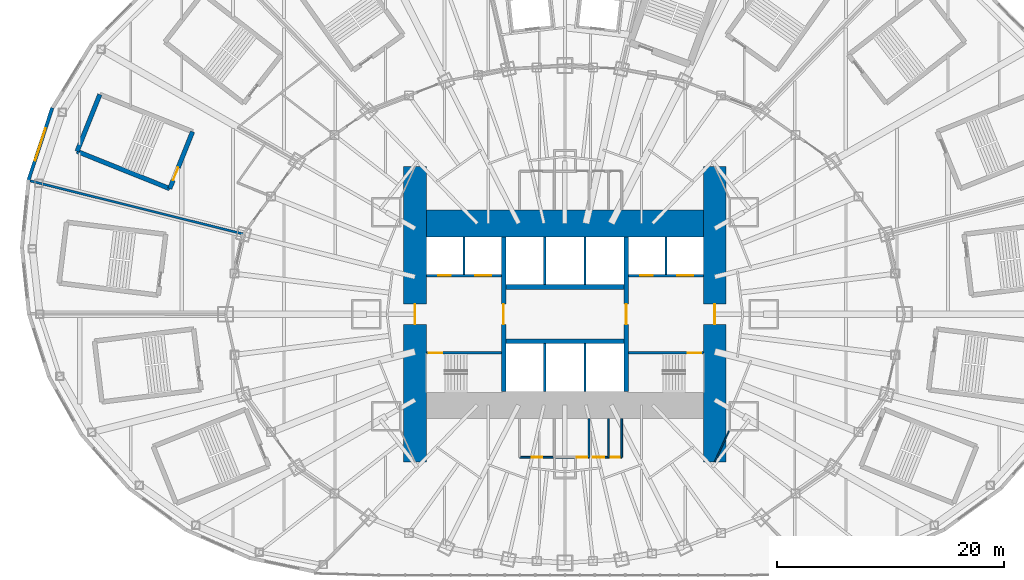
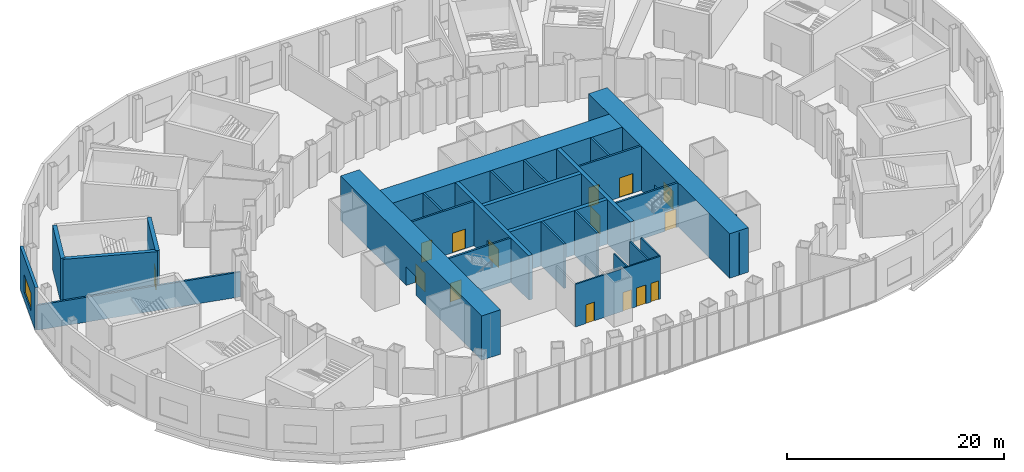
# One storey, part 14 of 73: 27 walls, 15 doors, 1 window, 16 openings.
"""IFC4 building model written with IfcOpenShell, lengths in metres."""

import ifcopenshell
import ifcopenshell.guid

model = None  # the IFC model being written
_history = None  # IfcOwnerHistory: only IFC2X3 demands one
_inside = {}  # id of a spatial element -> (the spatial element, [elements in it])
_under = {}  # id of a project, library or spatial element -> (it, [spatial elements below it])
_declared = {}  # id of a project -> (the project, [libraries it declares])
_typed = {}  # id of a type object -> (the type object, [elements of that type])
_made_of = {}  # id of a material, layer set ... -> (it, [elements and type objects made of it])


def new_model(schema):
    """Start an empty IFC model of exactly this schema.

    Asked for "IFC4X3", IfcOpenShell would pick the latest addendum, in which some entities
    have other attributes; the version numbers below select the first issue.
    IFC2X3 requires an IfcOwnerHistory on every rooted entity: one is made here for all.
    """
    global model, _history
    if schema == "IFC4X3":
        model = ifcopenshell.file(schema_version=(4, 3, 0, 0))
    else:
        model = ifcopenshell.file(schema=schema)
    _inside.clear()
    _under.clear()
    _declared.clear()
    _typed.clear()
    _made_of.clear()
    _history = None
    if model.schema == "IFC2X3":
        org = make("IfcOrganization", Name="unknown")
        user = make(
            "IfcPersonAndOrganization",
            ThePerson=make("IfcPerson", FamilyName="unknown"),
            TheOrganization=org,
        )
        app = make(
            "IfcApplication",
            ApplicationDeveloper=org,
            Version="unknown",
            ApplicationFullName="unknown",
            ApplicationIdentifier="unknown",
        )
        _history = make(
            "IfcOwnerHistory",
            OwningUser=user,
            OwningApplication=app,
            ChangeAction="ADDED",
            CreationDate=0,
        )
    return model


def make(cls, **values):
    """One entity of the class cls with the attributes given. An attribute that is None is left unset."""
    return model.create_entity(
        cls, **{name: value for name, value in values.items() if value is not None}
    )


def rooted(cls, **values):
    """An entity with a GlobalId (a new one), such as an element, a storey or a relation."""
    return make(cls, GlobalId=ifcopenshell.guid.new(), OwnerHistory=_history, **values)


def si_unit(unit_type, name, prefix=None):
    """IfcSIUnit, for example si_unit("LENGTHUNIT", "METRE", prefix="MILLI")."""
    return make("IfcSIUnit", UnitType=unit_type, Prefix=prefix, Name=name)


def assignment(units):
    """IfcUnitAssignment: the units of a project."""
    return None if units is None else make("IfcUnitAssignment", Units=units)


def point(xyz):
    """IfcCartesianPoint."""
    return None if xyz is None else make("IfcCartesianPoint", Coordinates=xyz)


def direction(xyz):
    """IfcDirection."""
    return None if xyz is None else make("IfcDirection", DirectionRatios=xyz)


def frame(location, z_axis=None, x_axis=None):
    """IfcAxis2Placement3D, a coordinate frame: its origin and axes. An axis left out is left unset."""
    return make(
        "IfcAxis2Placement3D",
        Location=point(location),
        Axis=direction(z_axis),
        RefDirection=direction(x_axis),
    )


def frame_2d(location, x_axis=None):
    """IfcAxis2Placement2D, a coordinate frame in the plane: its origin and x axis."""
    return make(
        "IfcAxis2Placement2D", Location=point(location), RefDirection=direction(x_axis)
    )


def origin():
    """The frame at (0, 0, 0) with its axes left unset."""
    return frame((0.0, 0.0, 0.0))


def place(relative_to, where):
    """IfcLocalPlacement: puts the frame where relative to a parent placement (None: the world)."""
    return make(
        "IfcLocalPlacement", PlacementRelTo=relative_to, RelativePlacement=where
    )


def context(
    kind, dimensions, precision=None, world=None, true_north=None, identifier=None
):
    """IfcGeometricRepresentationContext, for example the 3D "Model" context."""
    return make(
        "IfcGeometricRepresentationContext",
        ContextIdentifier=identifier,
        ContextType=kind,
        CoordinateSpaceDimension=dimensions,
        Precision=precision,
        WorldCoordinateSystem=world,
        TrueNorth=true_north,
    )


def subcontext(parent, identifier, kind, view, scale=None):
    """IfcGeometricRepresentationSubContext, for example "Body" below "Model"."""
    return make(
        "IfcGeometricRepresentationSubContext",
        ContextIdentifier=identifier,
        ContextType=kind,
        ParentContext=parent,
        TargetScale=scale,
        TargetView=view,
    )


def project(units=None, contexts=None):
    """IfcProject with its units and contexts."""
    return rooted(
        "IfcProject",
        Name="project",
        RepresentationContexts=contexts,
        UnitsInContext=assignment(units),
    )


def spatial(cls, under=None, at=None, **own):
    """A site, building, storey or space (cls), placed at a placement, below another one or the project."""
    s = rooted(cls, ObjectPlacement=at, **own)
    if under is not None:
        _under.setdefault(under.id(), (under, []))[1].append(s)
    return s


def profile(cls, at=None, kind="AREA", **sizes):
    """A parametric profile (cls). Its sizes go by their IFC names, for example OverallWidth=200.0."""
    return make(cls, ProfileType=kind, Position=at, **sizes)


def rectangle(**sizes):
    """IfcRectangleProfileDef."""
    return profile("IfcRectangleProfileDef", **sizes)


def extrude(swept, where, along, depth):
    """IfcExtrudedAreaSolid: the profile swept, set in the frame where, extruded along a direction by depth."""
    return make(
        "IfcExtrudedAreaSolid",
        SweptArea=swept,
        Position=where,
        ExtrudedDirection=direction(along),
        Depth=depth,
    )


def shape(context_of_items, identifier, shape_type, items):
    """IfcShapeRepresentation: the items that make up one representation, for example the "Body"."""
    return make(
        "IfcShapeRepresentation",
        ContextOfItems=context_of_items,
        RepresentationIdentifier=identifier,
        RepresentationType=shape_type,
        Items=items,
    )


def material(Name=None, Category=None):
    """IfcMaterial."""
    return make("IfcMaterial", Name=Name, Category=Category)


def layer(
    of_material, thickness, ventilated=None, Name=None, Category=None, Priority=None
):
    """IfcMaterialLayer: one layer of a wall or slab, of a material (None: an air gap)."""
    return make(
        "IfcMaterialLayer",
        Material=of_material,
        LayerThickness=thickness,
        IsVentilated=ventilated,
        Name=Name,
        Category=Category,
        Priority=Priority,
    )


def layer_set(layers, Name=None):
    """IfcMaterialLayerSet."""
    return make("IfcMaterialLayerSet", MaterialLayers=layers, LayerSetName=Name)


def made_of(thing, what):
    """Note that an element or type object is made of a material, layer set ...; save() writes the relation."""
    if what is not None:
        _made_of.setdefault(what.id(), (what, []))[1].append(thing)
    return thing


def type_object(cls, material=None, **own):
    """A type object (cls), such as IfcWallType, which elements share."""
    return made_of(rooted(cls, **own), material)


def element(
    cls,
    number,
    at=None,
    inside=None,
    cuts=None,
    type_object=None,
    material=None,
    context=None,
    identifier="Body",
    shape_type=None,
    held_by="IfcProductDefinitionShape",
    body=None,
    shapes=None,
    **own,
):
    """One element of the class cls, such as IfcWall. Its Tag is "e" and its number.

    at: its placement. inside: the storey or other place that contains it. cuts: it is an
    opening in that element (IfcRelVoidsElement). A single representation is given by context,
    identifier, shape_type and body (its items); several are given by shapes. held_by: the class
    of the entity that holds the representations. save() writes the other relations.
    """
    e = rooted(cls, Tag="e%d" % number, ObjectPlacement=at, **own)
    if body is not None:
        shapes = [shape(context, identifier, shape_type, body)]
    if shapes is not None:
        e.Representation = make(held_by, Representations=shapes)
    if inside is not None:
        _inside.setdefault(inside.id(), (inside, []))[1].append(e)
    if cuts is not None:
        rooted(
            "IfcRelVoidsElement", RelatingBuildingElement=cuts, RelatedOpeningElement=e
        )
    if type_object is not None:
        _typed.setdefault(type_object.id(), (type_object, []))[1].append(e)
    return made_of(e, material)


def fill(opening, filler):
    """IfcRelFillsElement: the door or window that sits in an opening."""
    return rooted(
        "IfcRelFillsElement",
        RelatingOpeningElement=opening,
        RelatedBuildingElement=filler,
    )


def aggregate(whole, parts):
    """IfcRelAggregates: a whole, such as a stair, and the parts it consists of."""
    return rooted("IfcRelAggregates", RelatingObject=whole, RelatedObjects=parts)


def save(model, path):
    """Write the relations noted so far, then the file.

    IfcRelAggregates (storeys below a building ...), IfcRelContainedInSpatialStructure (elements
    in a storey), IfcRelDefinesByType, IfcRelAssociatesMaterial and IfcRelDeclares: one each for
    every whole, place, type object, material and project.
    """
    for whole, parts in _under.values():
        aggregate(whole, parts)
    for where, things in _inside.values():
        rooted(
            "IfcRelContainedInSpatialStructure",
            RelatedElements=things,
            RelatingStructure=where,
        )
    for kind, things in _typed.values():
        rooted("IfcRelDefinesByType", RelatedObjects=things, RelatingType=kind)
    for what, things in _made_of.values():
        rooted("IfcRelAssociatesMaterial", RelatedObjects=things, RelatingMaterial=what)
    for by, libraries in _declared.values():
        rooted("IfcRelDeclares", RelatingContext=by, RelatedDefinitions=libraries)
    model.write(path)


model = new_model("IFC4")

# Units and contexts
model_context = context("Model", 3, precision=1e-05, world=origin(), true_north=direction((0.0, 1.0)))
body_context = subcontext(model_context, "Body", "Model", "MODEL_VIEW")
ifc_project = project(units=[si_unit("LENGTHUNIT", "METRE"), si_unit("AREAUNIT", "SQUARE_METRE"), si_unit("VOLUMEUNIT", "CUBIC_METRE"), si_unit("PLANEANGLEUNIT", "RADIAN"), si_unit("MASSUNIT", "GRAM", prefix="KILO")], contexts=[model_context])

# Site, building, storey
site_placement = place(None, origin())
site = spatial("IfcSite", under=ifc_project, at=site_placement, CompositionType="ELEMENT")
building_placement = place(site_placement, origin())
building = spatial("IfcBuilding", under=site, at=building_placement, Name="Lantaw Convention Tower", CompositionType="ELEMENT")
storey_placement = place(building_placement, frame((0.0, 0.0, 27.0)))
storey = spatial("IfcBuildingStorey", under=building, at=storey_placement, Name="L04", CompositionType="ELEMENT", Elevation=27.0)

# Wall, opening, door
ifc_material_1 = material(Name="Concrete C60/75", Category="concrete")
ifc_layer_1 = layer(ifc_material_1, 0.199951171875)
ifc_layer_set_1 = layer_set([ifc_layer_1], Name="Core wall 200")
wall_type_1 = type_object("IfcWallType", Name="Core wall 200", PredefinedType="SHEAR", material=ifc_layer_set_1)
wall_1_placement = place(storey_placement, frame((5.60009765625, -3.39990234375, 0.0), z_axis=(0.0, 0.0, 1.0), x_axis=(1.0, 0.0, 0.0)))
wall_1 = element("IfcWall", 1, at=wall_1_placement, inside=storey, type_object=wall_type_1, Name="Core wall ES", PredefinedType="SHEAR", context=body_context, shape_type="SweptSolid", body=[
    extrude(rectangle(XDim=6.599853515625, YDim=0.199951171875, at=frame_2d((3.2998046875, 0.0))), origin(), (0.0, 0.0, 1.0), 5.0),
])
opening_1_placement = place(wall_1_placement, frame((5.199951171875, 0.0, 0.0)))
opening_1 = element("IfcOpeningElement", 2, at=opening_1_placement, cuts=wall_1, Name="Opening L04.03", PredefinedType="OPENING", context=body_context, shape_type="SweptSolid", body=[
    extrude(rectangle(XDim=1.199951171875, YDim=2.10009765625, at=frame_2d((0.60009765625, 1.050048828125))), frame((0.0, 0.10986328125, 0.0), z_axis=(0.0, -1.0, 0.0), x_axis=(1.0, 0.0, 0.0)), (0.0, 0.0, 1.0), 0.219970703125),
])
ifc_material_2 = material(Name="Steel, fire rated", Category="steel")
door_type_1 = type_object("IfcDoorType", Name="Stair door FD90", OperationType="SINGLE_SWING_RIGHT", PredefinedType="DOOR", material=ifc_material_2)
door_1_placement = place(opening_1_placement, origin())
door_1 = element("IfcDoor", 3, at=door_1_placement, inside=storey, type_object=door_type_1, Name="Exit stair door", OperationType="SINGLE_SWING_RIGHT", OverallHeight=2.10009765625, OverallWidth=1.199951171875, PredefinedType="DOOR", context=body_context, shape_type="SweptSolid", body=[
    extrude(rectangle(XDim=1.199951171875, YDim=2.10009765625, at=frame_2d((0.60009765625, 1.050048828125))), frame((0.0, 0.02490234375, 0.0), z_axis=(0.0, -1.0, 0.0), x_axis=(1.0, 0.0, 0.0)), (0.0, 0.0, 1.0), 0.050048828125),
])
fill(opening_1, door_1)

wall_2_placement = place(storey_placement, frame((-5.60009765625, -3.39990234375, 0.0), z_axis=(0.0, 0.0, 1.0), x_axis=(-1.0, 0.0, 0.0)))
wall_2 = element("IfcWall", 4, at=wall_2_placement, inside=storey, type_object=wall_type_1, Name="Core wall WS", PredefinedType="SHEAR", context=body_context, shape_type="SweptSolid", body=[
    extrude(rectangle(XDim=6.599853515625, YDim=0.199951171875, at=frame_2d((3.2998046875, 0.0))), origin(), (0.0, 0.0, 1.0), 5.0),
])
opening_2_placement = place(wall_2_placement, frame((5.199951171875, 0.0, 0.0)))
opening_2 = element("IfcOpeningElement", 5, at=opening_2_placement, cuts=wall_2, Name="Opening L04.04", PredefinedType="OPENING", context=body_context, shape_type="SweptSolid", body=[
    extrude(rectangle(XDim=1.199951171875, YDim=2.10009765625, at=frame_2d((0.60009765625, 1.050048828125))), frame((0.0, 0.10986328125, 0.0), z_axis=(0.0, -1.0, 0.0), x_axis=(1.0, 0.0, 0.0)), (0.0, 0.0, 1.0), 0.219970703125),
])
door_2_placement = place(opening_2_placement, origin())
door_2 = element("IfcDoor", 6, at=door_2_placement, inside=storey, type_object=door_type_1, Name="Exit stair door", OperationType="SINGLE_SWING_RIGHT", OverallHeight=2.10009765625, OverallWidth=1.199951171875, PredefinedType="DOOR", context=body_context, shape_type="SweptSolid", body=[
    extrude(rectangle(XDim=1.199951171875, YDim=2.10009765625, at=frame_2d((0.60009765625, 1.050048828125))), frame((0.0, 0.02490234375, 0.0), z_axis=(0.0, -1.0, 0.0), x_axis=(1.0, 0.0, 0.0)), (0.0, 0.0, 1.0), 0.050048828125),
])
fill(opening_2, door_2)

ifc_layer_2 = layer(ifc_material_1, 2.0)
ifc_layer_set_2 = layer_set([ifc_layer_2], Name="Core wall 2000")
wall_type_2 = type_object("IfcWallType", Name="Core wall 2000", PredefinedType="SHEAR", material=ifc_layer_set_2)
wall_3_placement = place(storey_placement, frame((13.199951171875, -13.0, 0.0), z_axis=(0.0, 0.0, 1.0), x_axis=(0.0, 1.0, 0.0)))
wall_3 = element("IfcWall", 7, at=wall_3_placement, inside=storey, type_object=wall_type_2, Name="Core wall E", PredefinedType="SHEAR", context=body_context, shape_type="SweptSolid", body=[
    extrude(rectangle(XDim=26.0, YDim=2.0, at=frame_2d((13.0, 0.0))), origin(), (0.0, 0.0, 1.0), 5.0),
])
opening_3_placement = place(wall_3_placement, frame((12.10009765625, 0.0, 0.0)))
opening_3 = element("IfcOpeningElement", 8, at=opening_3_placement, cuts=wall_3, Name="Opening L04.05", PredefinedType="OPENING", context=body_context, shape_type="SweptSolid", body=[
    extrude(rectangle(XDim=1.800048828125, YDim=2.10009765625, at=frame_2d((0.89990234375, 1.050048828125))), frame((0.0, 1.010009765625, 0.0), z_axis=(0.0, -1.0, 0.0), x_axis=(1.0, 0.0, 0.0)), (0.0, 0.0, 1.0), 2.02001953125),
])
door_type_2 = type_object("IfcDoorType", Name="Lobby double door FD90", OperationType="DOUBLE_DOOR_DOUBLE_SWING", PredefinedType="DOOR", material=ifc_material_2)
door_3_placement = place(opening_3_placement, origin())
door_3 = element("IfcDoor", 9, at=door_3_placement, inside=storey, type_object=door_type_2, Name="Firefighting lobby door", OperationType="DOUBLE_DOOR_DOUBLE_SWING", OverallHeight=2.10009765625, OverallWidth=1.800048828125, PredefinedType="DOOR", context=body_context, shape_type="SweptSolid", body=[
    extrude(rectangle(XDim=1.800048828125, YDim=2.10009765625, at=frame_2d((0.89990234375, 1.050048828125))), frame((0.0, 0.02490234375, 0.0), z_axis=(0.0, -1.0, 0.0), x_axis=(1.0, 0.0, 0.0)), (0.0, 0.0, 1.0), 0.050048828125),
])
fill(opening_3, door_3)

wall_4_placement = place(storey_placement, frame((-13.199951171875, 13.0, 0.0), z_axis=(0.0, 0.0, 1.0), x_axis=(0.0, -1.0, 0.0)))
wall_4 = element("IfcWall", 10, at=wall_4_placement, inside=storey, type_object=wall_type_2, Name="Core wall W", PredefinedType="SHEAR", context=body_context, shape_type="SweptSolid", body=[
    extrude(rectangle(XDim=26.0, YDim=2.0, at=frame_2d((13.0, 0.0))), origin(), (0.0, 0.0, 1.0), 5.0),
])
opening_4_placement = place(wall_4_placement, frame((12.10009765625, 0.0, 0.0)))
opening_4 = element("IfcOpeningElement", 11, at=opening_4_placement, cuts=wall_4, Name="Opening L04.06", PredefinedType="OPENING", context=body_context, shape_type="SweptSolid", body=[
    extrude(rectangle(XDim=1.800048828125, YDim=2.10009765625, at=frame_2d((0.89990234375, 1.050048828125))), frame((0.0, 1.010009765625, 0.0), z_axis=(0.0, -1.0, 0.0), x_axis=(1.0, 0.0, 0.0)), (0.0, 0.0, 1.0), 2.02001953125),
])
door_4_placement = place(opening_4_placement, origin())
door_4 = element("IfcDoor", 12, at=door_4_placement, inside=storey, type_object=door_type_2, Name="Firefighting lobby door", OperationType="DOUBLE_DOOR_DOUBLE_SWING", OverallHeight=2.10009765625, OverallWidth=1.800048828125, PredefinedType="DOOR", context=body_context, shape_type="SweptSolid", body=[
    extrude(rectangle(XDim=1.800048828125, YDim=2.10009765625, at=frame_2d((0.89990234375, 1.050048828125))), frame((0.0, 0.02490234375, 0.0), z_axis=(0.0, -1.0, 0.0), x_axis=(1.0, 0.0, 0.0)), (0.0, 0.0, 1.0), 0.050048828125),
])
fill(opening_4, door_4)

# Wall
ifc_layer_3 = layer(ifc_material_1, 2.39990234375)
ifc_layer_set_3 = layer_set([ifc_layer_3], Name="Core wall 2400")
wall_type_3 = type_object("IfcWallType", Name="Core wall 2400", PredefinedType="SHEAR", material=ifc_layer_set_3)
wall_5_placement = place(storey_placement, frame((12.199951171875, 8.0, 0.0), z_axis=(0.0, 0.0, 1.0), x_axis=(-1.0, 0.0, 0.0)))
element("IfcWall", 13, at=wall_5_placement, inside=storey, type_object=wall_type_3, Name="Core wall N", PredefinedType="SHEAR", context=body_context, shape_type="SweptSolid", body=[
    extrude(rectangle(XDim=24.39990234375, YDim=2.39990234375, at=frame_2d((12.199951171875, 0.0))), origin(), (0.0, 0.0, 1.0), 5.0),
])

# Wall, opening, door
ifc_layer_4 = layer(ifc_material_1, 0.39990234375)
ifc_layer_set_4 = layer_set([ifc_layer_4], Name="Core wall 400")
wall_type_4 = type_object("IfcWallType", Name="Core wall 400", PredefinedType="SHEAR", material=ifc_layer_set_4)
wall_6_placement = place(storey_placement, frame((5.39990234375, -6.800048828125, 0.0), z_axis=(0.0, 0.0, 1.0), x_axis=(0.0, 1.0, 0.0)))
wall_6 = element("IfcWall", 14, at=wall_6_placement, inside=storey, type_object=wall_type_4, Name="Core wall XE", PredefinedType="SHEAR", context=body_context, shape_type="SweptSolid", body=[
    extrude(rectangle(XDim=13.60009765625, YDim=0.39990234375, at=frame_2d((6.800048828125, 0.0))), origin(), (0.0, 0.0, 1.0), 5.0),
])
opening_5_placement = place(wall_6_placement, frame((5.89990234375, 0.0, 0.0)))
opening_5 = element("IfcOpeningElement", 15, at=opening_5_placement, cuts=wall_6, Name="Opening L04.01", PredefinedType="OPENING", context=body_context, shape_type="SweptSolid", body=[
    extrude(rectangle(XDim=1.800048828125, YDim=2.10009765625, at=frame_2d((0.89990234375, 1.050048828125))), frame((0.0, 0.2099609375, 0.0), z_axis=(0.0, -1.0, 0.0), x_axis=(1.0, 0.0, 0.0)), (0.0, 0.0, 1.0), 0.419921875),
])
door_5_placement = place(opening_5_placement, origin())
door_5 = element("IfcDoor", 16, at=door_5_placement, inside=storey, type_object=door_type_2, Name="Lift lobby door", OperationType="DOUBLE_DOOR_DOUBLE_SWING", OverallHeight=2.10009765625, OverallWidth=1.800048828125, PredefinedType="DOOR", context=body_context, shape_type="SweptSolid", body=[
    extrude(rectangle(XDim=1.800048828125, YDim=2.10009765625, at=frame_2d((0.89990234375, 1.050048828125))), frame((0.0, 0.02490234375, 0.0), z_axis=(0.0, -1.0, 0.0), x_axis=(1.0, 0.0, 0.0)), (0.0, 0.0, 1.0), 0.050048828125),
])
fill(opening_5, door_5)

wall_7_placement = place(storey_placement, frame((-5.39990234375, 6.800048828125, 0.0), z_axis=(0.0, 0.0, 1.0), x_axis=(0.0, -1.0, 0.0)))
wall_7 = element("IfcWall", 17, at=wall_7_placement, inside=storey, type_object=wall_type_4, Name="Core wall XW", PredefinedType="SHEAR", context=body_context, shape_type="SweptSolid", body=[
    extrude(rectangle(XDim=13.60009765625, YDim=0.39990234375, at=frame_2d((6.800048828125, 0.0))), origin(), (0.0, 0.0, 1.0), 5.0),
])
opening_6_placement = place(wall_7_placement, frame((5.89990234375, 0.0, 0.0)))
opening_6 = element("IfcOpeningElement", 18, at=opening_6_placement, cuts=wall_7, Name="Opening L04.02", PredefinedType="OPENING", context=body_context, shape_type="SweptSolid", body=[
    extrude(rectangle(XDim=1.800048828125, YDim=2.10009765625, at=frame_2d((0.89990234375, 1.050048828125))), frame((0.0, 0.2099609375, 0.0), z_axis=(0.0, -1.0, 0.0), x_axis=(1.0, 0.0, 0.0)), (0.0, 0.0, 1.0), 0.419921875),
])
door_6_placement = place(opening_6_placement, origin())
door_6 = element("IfcDoor", 19, at=door_6_placement, inside=storey, type_object=door_type_2, Name="Lift lobby door", OperationType="DOUBLE_DOOR_DOUBLE_SWING", OverallHeight=2.10009765625, OverallWidth=1.800048828125, PredefinedType="DOOR", context=body_context, shape_type="SweptSolid", body=[
    extrude(rectangle(XDim=1.800048828125, YDim=2.10009765625, at=frame_2d((0.89990234375, 1.050048828125))), frame((0.0, 0.02490234375, 0.0), z_axis=(0.0, -1.0, 0.0), x_axis=(1.0, 0.0, 0.0)), (0.0, 0.0, 1.0), 0.050048828125),
])
fill(opening_6, door_6)

# Walls
for number, where, z_axis, x_axis, name in (
    (20, (-5.199951171875, -2.39990234375, 0.0), (0.0, 0.0, 1.0), (1.0, 0.0, 0.0), "Core wall BS"),
    (21, (5.199951171875, 2.39990234375, 0.0), (0.0, 0.0, 1.0), (-1.0, 0.0, 0.0), "Core wall BN"),
):
    element("IfcWall", number, at=place(storey_placement, frame(where, z_axis=z_axis, x_axis=x_axis)), inside=storey, type_object=wall_type_4, Name=name, PredefinedType="SHEAR", context=body_context, shape_type="SweptSolid", body=[
        extrude(rectangle(XDim=10.39990234375, YDim=0.39990234375, at=frame_2d((5.199951171875, 0.0))), origin(), (0.0, 0.0, 1.0), 5.0),
    ])
ifc_material_3 = material(Name="Gypsum board on steel studs, acoustic", Category="steel")
ifc_layer_5 = layer(ifc_material_3, 0.10009765625)
ifc_layer_set_5 = layer_set([ifc_layer_5], Name="Office partition 100")
wall_type_5 = type_object("IfcWallType", Name="Office partition 100", PredefinedType="PARTITIONING", material=ifc_layer_set_5)
wall_8_placement = place(storey_placement, frame((13.199951171875, -13.0, 0.0), z_axis=(0.0, 0.0, 1.0), x_axis=(0.420129824888, 0.907464010437, 0.0)))
element("IfcWall", 22, at=wall_8_placement, inside=storey, type_object=wall_type_5, Name="Office partition 100", PredefinedType="PARTITIONING", context=body_context, shape_type="SweptSolid", body=[
    extrude(rectangle(XDim=2.975341796875, YDim=0.10009765625, at=frame_2d((1.48779296875, 0.0))), origin(), (0.0, 0.0, 1.0), 4.800048828125),
])

# Wall, opening, window
ifc_material_4 = material(Name="Precast concrete panel, pale aluminium rainscreen", Category="concrete")
ifc_layer_6 = layer(ifc_material_4, 0.300048828125)
ifc_layer_set_6 = layer_set([ifc_layer_6], Name="Podium external wall 300")
wall_type_6 = type_object("IfcWallType", Name="Podium external wall 300", PredefinedType="SOLIDWALL", material=ifc_layer_set_6)
wall_9_placement = place(storey_placement, frame((-45.158203125, 18.181640625, 0.0), z_axis=(0.0, 0.0, 1.0), x_axis=(-0.31263149373, -0.94987449125, 0.0)))
wall_9 = element("IfcWall", 23, at=wall_9_placement, inside=storey, type_object=wall_type_6, Name="Podium facade wall", PredefinedType="SOLIDWALL", context=body_context, shape_type="SweptSolid", body=[
    extrude(rectangle(XDim=6.7861328125, YDim=0.300048828125, at=frame_2d((3.39306640625, 0.0))), origin(), (0.0, 0.0, 1.0), 4.800048828125),
])
opening_7_placement = place(wall_9_placement, frame((1.89306640625, 0.0, 0.89990234375)))
opening_7 = element("IfcOpeningElement", 24, at=opening_7_placement, cuts=wall_9, Name="Opening W3", PredefinedType="OPENING", context=body_context, shape_type="SweptSolid", body=[
    extrude(rectangle(XDim=3.0, YDim=2.0, at=frame_2d((1.5, 1.0))), frame((0.0, 0.159912109375, 0.0), z_axis=(0.0, -1.0, 0.0), x_axis=(1.0, 0.0, 0.0)), (0.0, 0.0, 1.0), 0.320068359375),
])
ifc_material_5 = material(Name="Aluminium frame, clear insulating glass", Category="aluminium")
window_type = type_object("IfcWindowType", Name="Podium window 3000x2000", PartitioningType="DOUBLE_PANEL_VERTICAL", PredefinedType="WINDOW", material=ifc_material_5)
window_placement = place(opening_7_placement, origin())
window = element("IfcWindow", 25, at=window_placement, inside=storey, type_object=window_type, Name="Podium window", OverallHeight=2.0, OverallWidth=3.0, PartitioningType="SINGLE_PANEL", PredefinedType="WINDOW", context=body_context, shape_type="SweptSolid", body=[
    extrude(rectangle(XDim=3.0, YDim=2.0, at=frame_2d((1.5, 1.0))), frame((0.0, 0.030029296875, 0.0), z_axis=(0.0, -1.0, 0.0), x_axis=(1.0, 0.0, 0.0)), (0.0, 0.0, 1.0), 0.06005859375),
])
fill(opening_7, window)

# Walls
ifc_material_6 = material(Name="Concrete blockwork", Category="masonry")
ifc_layer_7 = layer(ifc_material_6, 0.199951171875)
ifc_layer_set_7 = layer_set([ifc_layer_7], Name="Podium partition 200")
wall_type_7 = type_object("IfcWallType", Name="Podium partition 200", PredefinedType="SOLIDWALL", material=ifc_layer_set_7)
wall_10_placement = place(storey_placement, frame((-28.31787109375, 7.060302734375, 0.0), z_axis=(0.0, 0.0, 1.0), x_axis=(-0.970227758662, 0.242194335859, 0.0)))
element("IfcWall", 26, at=wall_10_placement, inside=storey, type_object=wall_type_7, Name="Podium partition 200", PredefinedType="SOLIDWALL", context=body_context, shape_type="SweptSolid", body=[
    extrude(rectangle(XDim=19.525634765625, YDim=0.199951171875, at=frame_2d((9.7626953125, 0.0))), origin(), (0.0, 0.0, 1.0), 2.800048828125),
])
ifc_material_7 = material(Name="Concrete blockwork, fire rated", Category="masonry")
ifc_layer_8 = layer(ifc_material_7, 0.199951171875)
ifc_layer_set_8 = layer_set([ifc_layer_8], Name="Shaft wall 200")
wall_type_8 = type_object("IfcWallType", Name="Shaft wall 200", PredefinedType="SOLIDWALL", material=ifc_layer_set_8)
for number, where, z_axis, x_axis, name in (
    (27, (-1.7666015625, 2.60009765625, 0.0), (0.0, 0.0, 1.0), (0.0, 1.0, 0.0), "Shaft wall DN1"),
    (28, (1.7666015625, 2.60009765625, 0.0), (0.0, 0.0, 1.0), (0.0, 1.0, 0.0), "Shaft wall DN2"),
):
    element("IfcWall", number, at=place(storey_placement, frame(where, z_axis=z_axis, x_axis=x_axis)), inside=storey, type_object=wall_type_8, Name=name, PredefinedType="SOLIDWALL", context=body_context, shape_type="SweptSolid", body=[
        extrude(rectangle(XDim=4.199951171875, YDim=0.199951171875, at=frame_2d((2.10009765625, 0.0))), origin(), (0.0, 0.0, 1.0), 5.0),
    ])

# Wall, openings, doors
wall_11_placement = place(storey_placement, frame((12.199951171875, 3.39990234375, 0.0), z_axis=(0.0, 0.0, 1.0), x_axis=(-1.0, 0.0, 0.0)))
wall_11 = element("IfcWall", 29, at=wall_11_placement, inside=storey, type_object=wall_type_8, Name="Shaft wall EN", PredefinedType="SOLIDWALL", context=body_context, shape_type="SweptSolid", body=[
    extrude(rectangle(XDim=6.599853515625, YDim=0.199951171875, at=frame_2d((3.2998046875, 0.0))), origin(), (0.0, 0.0, 1.0), 5.0),
])
opening_8_placement = place(wall_11_placement, frame((4.449951171875, 0.0, 0.0)))
opening_8 = element("IfcOpeningElement", 30, at=opening_8_placement, cuts=wall_11, Name="Opening L04.09", PredefinedType="OPENING", context=body_context, shape_type="SweptSolid", body=[
    extrude(rectangle(XDim=1.10009765625, YDim=2.199951171875, at=frame_2d((0.550048828125, 1.10009765625))), frame((0.0, 0.10986328125, 0.0), z_axis=(0.0, -1.0, 0.0), x_axis=(1.0, 0.0, 0.0)), (0.0, 0.0, 1.0), 0.219970703125),
])
opening_9_placement = place(wall_11_placement, frame((0.89990234375, 0.0, 0.0)))
opening_9 = element("IfcOpeningElement", 31, at=opening_9_placement, cuts=wall_11, Name="Opening L04.10", PredefinedType="OPENING", context=body_context, shape_type="SweptSolid", body=[
    extrude(rectangle(XDim=1.39990234375, YDim=2.199951171875, at=frame_2d((0.699951171875, 1.10009765625))), frame((0.0, 0.10986328125, 0.0), z_axis=(0.0, -1.0, 0.0), x_axis=(1.0, 0.0, 0.0)), (0.0, 0.0, 1.0), 0.219970703125),
])
ifc_material_8 = material(Name="Stainless steel", Category="steel")
door_type_3 = type_object("IfcDoorType", Name="Lift landing door 1100", OperationType="DOUBLE_DOOR_SLIDING", PredefinedType="DOOR", material=ifc_material_8)
door_7_placement = place(opening_8_placement, origin())
door_7 = element("IfcDoor", 32, at=door_7_placement, inside=storey, type_object=door_type_3, Name="Lift landing door FF2", OperationType="DOUBLE_DOOR_SLIDING", OverallHeight=2.199951171875, OverallWidth=1.10009765625, PredefinedType="DOOR", context=body_context, shape_type="SweptSolid", body=[
    extrude(rectangle(XDim=1.10009765625, YDim=2.199951171875, at=frame_2d((0.550048828125, 1.10009765625))), frame((0.0, 0.02490234375, 0.0), z_axis=(0.0, -1.0, 0.0), x_axis=(1.0, 0.0, 0.0)), (0.0, 0.0, 1.0), 0.050048828125),
])
fill(opening_8, door_7)
door_type_4 = type_object("IfcDoorType", Name="Lift landing door 1400", OperationType="DOUBLE_DOOR_SLIDING", PredefinedType="DOOR", material=ifc_material_8)
door_8_placement = place(opening_9_placement, origin())
door_8 = element("IfcDoor", 33, at=door_8_placement, inside=storey, type_object=door_type_4, Name="Lift landing door SV2", OperationType="DOUBLE_DOOR_SLIDING", OverallHeight=2.199951171875, OverallWidth=1.39990234375, PredefinedType="DOOR", context=body_context, shape_type="SweptSolid", body=[
    extrude(rectangle(XDim=1.39990234375, YDim=2.199951171875, at=frame_2d((0.699951171875, 1.10009765625))), frame((0.0, 0.02490234375, 0.0), z_axis=(0.0, -1.0, 0.0), x_axis=(1.0, 0.0, 0.0)), (0.0, 0.0, 1.0), 0.050048828125),
])
fill(opening_9, door_8)

# Wall
wall_12_placement = place(storey_placement, frame((8.89990234375, 3.5, 0.0), z_axis=(0.0, 0.0, 1.0), x_axis=(0.0, 1.0, 0.0)))
element("IfcWall", 34, at=wall_12_placement, inside=storey, type_object=wall_type_8, Name="Shaft wall ED", PredefinedType="SOLIDWALL", context=body_context, shape_type="SweptSolid", body=[
    extrude(rectangle(XDim=3.300048828125, YDim=0.199951171875, at=frame_2d((1.64990234375, 0.0))), origin(), (0.0, 0.0, 1.0), 5.0),
])

# Wall, openings, doors
wall_13_placement = place(storey_placement, frame((-12.199951171875, 3.39990234375, 0.0), z_axis=(0.0, 0.0, 1.0), x_axis=(1.0, 0.0, 0.0)))
wall_13 = element("IfcWall", 35, at=wall_13_placement, inside=storey, type_object=wall_type_8, Name="Shaft wall WN", PredefinedType="SOLIDWALL", context=body_context, shape_type="SweptSolid", body=[
    extrude(rectangle(XDim=6.599853515625, YDim=0.199951171875, at=frame_2d((3.2998046875, 0.0))), origin(), (0.0, 0.0, 1.0), 5.0),
])
opening_10_placement = place(wall_13_placement, frame((1.050048828125, 0.0, 0.0)))
opening_10 = element("IfcOpeningElement", 36, at=opening_10_placement, cuts=wall_13, Name="Opening L04.07", PredefinedType="OPENING", context=body_context, shape_type="SweptSolid", body=[
    extrude(rectangle(XDim=1.10009765625, YDim=2.199951171875, at=frame_2d((0.550048828125, 1.10009765625))), frame((0.0, 0.10986328125, 0.0), z_axis=(0.0, -1.0, 0.0), x_axis=(1.0, 0.0, 0.0)), (0.0, 0.0, 1.0), 0.219970703125),
])
opening_11_placement = place(wall_13_placement, frame((4.300048828125, 0.0, 0.0)))
opening_11 = element("IfcOpeningElement", 37, at=opening_11_placement, cuts=wall_13, Name="Opening L04.08", PredefinedType="OPENING", context=body_context, shape_type="SweptSolid", body=[
    extrude(rectangle(XDim=1.39990234375, YDim=2.199951171875, at=frame_2d((0.699951171875, 1.10009765625))), frame((0.0, 0.10986328125, 0.0), z_axis=(0.0, -1.0, 0.0), x_axis=(1.0, 0.0, 0.0)), (0.0, 0.0, 1.0), 0.219970703125),
])
door_9_placement = place(opening_10_placement, origin())
door_9 = element("IfcDoor", 38, at=door_9_placement, inside=storey, type_object=door_type_3, Name="Lift landing door FF1", OperationType="DOUBLE_DOOR_SLIDING", OverallHeight=2.199951171875, OverallWidth=1.10009765625, PredefinedType="DOOR", context=body_context, shape_type="SweptSolid", body=[
    extrude(rectangle(XDim=1.10009765625, YDim=2.199951171875, at=frame_2d((0.550048828125, 1.10009765625))), frame((0.0, 0.02490234375, 0.0), z_axis=(0.0, -1.0, 0.0), x_axis=(1.0, 0.0, 0.0)), (0.0, 0.0, 1.0), 0.050048828125),
])
fill(opening_10, door_9)
door_10_placement = place(opening_11_placement, origin())
door_10 = element("IfcDoor", 39, at=door_10_placement, inside=storey, type_object=door_type_4, Name="Lift landing door SV1", OperationType="DOUBLE_DOOR_SLIDING", OverallHeight=2.199951171875, OverallWidth=1.39990234375, PredefinedType="DOOR", context=body_context, shape_type="SweptSolid", body=[
    extrude(rectangle(XDim=1.39990234375, YDim=2.199951171875, at=frame_2d((0.699951171875, 1.10009765625))), frame((0.0, 0.02490234375, 0.0), z_axis=(0.0, -1.0, 0.0), x_axis=(1.0, 0.0, 0.0)), (0.0, 0.0, 1.0), 0.050048828125),
])
fill(opening_11, door_10)

# Walls
wall_14_placement = place(storey_placement, frame((-8.89990234375, 3.5, 0.0), z_axis=(0.0, 0.0, 1.0), x_axis=(0.0, 1.0, 0.0)))
element("IfcWall", 40, at=wall_14_placement, inside=storey, type_object=wall_type_8, Name="Shaft wall WD", PredefinedType="SOLIDWALL", context=body_context, shape_type="SweptSolid", body=[
    extrude(rectangle(XDim=3.300048828125, YDim=0.199951171875, at=frame_2d((1.64990234375, 0.0))), origin(), (0.0, 0.0, 1.0), 5.0),
])
ifc_layer_9 = layer(ifc_material_7, 0.199951171875)
ifc_layer_set_9 = layer_set([ifc_layer_9], Name="Shaft wall 200 load-bearing")
wall_type_9 = type_object("IfcWallType", Name="Shaft wall 200 load-bearing", PredefinedType="SOLIDWALL", material=ifc_layer_set_9)
for number, where, z_axis, x_axis, name in (
    (41, (-1.7666015625, -2.60009765625, 0.0), (0.0, 0.0, 1.0), (0.0, -1.0, 0.0), "Shaft wall DS1"),
    (42, (1.7666015625, -2.60009765625, 0.0), (0.0, 0.0, 1.0), (0.0, -1.0, 0.0), "Shaft wall DS2"),
):
    element("IfcWall", number, at=place(storey_placement, frame(where, z_axis=z_axis, x_axis=x_axis)), inside=storey, type_object=wall_type_9, Name=name, PredefinedType="SOLIDWALL", context=body_context, shape_type="SweptSolid", body=[
        extrude(rectangle(XDim=4.199951171875, YDim=0.199951171875, at=frame_2d((2.10009765625, 0.0))), origin(), (0.0, 0.0, 1.0), 5.0),
    ])
ifc_material_9 = material(Name="Concrete C40/50, stair core", Category="concrete")
ifc_layer_10 = layer(ifc_material_9, 0.39990234375)
ifc_layer_set_10 = layer_set([ifc_layer_10], Name="Stair enclosure wall 400 EI 120")
wall_type_10 = type_object("IfcWallType", Name="Stair enclosure wall 400 EI 120", PredefinedType="SHEAR", material=ifc_layer_set_10)
wall_15_placement = place(storey_placement, frame((-40.966552734375, 19.35498046875, 0.0), z_axis=(0.0, 0.0, 1.0), x_axis=(-0.372544066459, -0.928014503414, 0.0)))
element("IfcWall", 43, at=wall_15_placement, inside=storey, type_object=wall_type_10, Name="Stair enclosure wall", PredefinedType="SHEAR", context=body_context, shape_type="SweptSolid", body=[
    extrude(rectangle(XDim=5.39990234375, YDim=0.39990234375, at=frame_2d((2.699951171875, 0.0))), origin(), (0.0, 0.0, 1.0), 5.0),
])
wall_16_placement = place(storey_placement, frame((-42.978271484375, 14.34375, 0.0), z_axis=(0.0, 0.0, 1.0), x_axis=(0.92801678004, -0.372538395288, 0.0)))
element("IfcWall", 44, at=wall_16_placement, inside=storey, type_object=wall_type_10, Name="Stair enclosure wall", PredefinedType="SHEAR", context=body_context, shape_type="SweptSolid", body=[
    extrude(rectangle(XDim=8.800048828125, YDim=0.39990234375, at=frame_2d((4.39990234375, 0.0))), origin(), (0.0, 0.0, 1.0), 5.0),
])

# Wall, opening, door
wall_17_placement = place(storey_placement, frame((-34.811767578125, 11.0654296875, 0.0), z_axis=(0.0, 0.0, 1.0), x_axis=(0.372544066459, 0.928014503414, 0.0)))
wall_17 = element("IfcWall", 45, at=wall_17_placement, inside=storey, type_object=wall_type_10, Name="Stair enclosure wall", PredefinedType="SHEAR", context=body_context, shape_type="SweptSolid", body=[
    extrude(rectangle(XDim=5.39990234375, YDim=0.39990234375, at=frame_2d((2.699951171875, 0.0))), origin(), (0.0, 0.0, 1.0), 5.0),
])
opening_12_placement = place(wall_17_placement, frame((0.800048828125, 0.0, 0.0)))
opening_12 = element("IfcOpeningElement", 46, at=opening_12_placement, cuts=wall_17, Name="Opening L04.P8", PredefinedType="OPENING", context=body_context, shape_type="SweptSolid", body=[
    extrude(rectangle(XDim=1.199951171875, YDim=2.10009765625, at=frame_2d((0.60009765625, 1.050048828125))), frame((0.0, 0.2099609375, 0.0), z_axis=(0.0, -1.0, 0.0), x_axis=(1.0, 0.0, 0.0)), (0.0, 0.0, 1.0), 0.419921875),
])
door_11_placement = place(opening_12_placement, origin())
door_11 = element("IfcDoor", 47, at=door_11_placement, inside=storey, type_object=door_type_1, Name="Exit stair door", OperationType="SINGLE_SWING_RIGHT", OverallHeight=2.10009765625, OverallWidth=1.199951171875, PredefinedType="DOOR", context=body_context, shape_type="SweptSolid", body=[
    extrude(rectangle(XDim=1.199951171875, YDim=2.10009765625, at=frame_2d((0.60009765625, 1.050048828125))), frame((0.0, 0.02490234375, 0.0), z_axis=(0.0, -1.0, 0.0), x_axis=(1.0, 0.0, 0.0)), (0.0, 0.0, 1.0), 0.050048828125),
])
fill(opening_12, door_11)

# Wall, openings, doors
ifc_layer_11 = layer(ifc_material_6, 0.14990234375)
ifc_layer_set_11 = layer_set([ifc_layer_11], Name="WC wall 150")
wall_type_11 = type_object("IfcWallType", Name="WC wall 150", PredefinedType="SOLIDWALL", material=ifc_layer_set_11)
wall_18_placement = place(storey_placement, frame((-4.0, -12.60009765625, 0.0), z_axis=(0.0, 0.0, 1.0), x_axis=(1.0, 0.0, 0.0)))
wall_18 = element("IfcWall", 48, at=wall_18_placement, inside=storey, type_object=wall_type_11, Name="WC wall 150", PredefinedType="SOLIDWALL", context=body_context, shape_type="SweptSolid", body=[
    extrude(rectangle(XDim=9.0, YDim=0.14990234375, at=frame_2d((4.5, 0.0))), origin(), (0.0, 0.0, 1.0), 4.800048828125),
])
opening_13_placement = place(wall_18_placement, frame((1.10009765625, 0.0, 0.0)))
opening_13 = element("IfcOpeningElement", 49, at=opening_13_placement, cuts=wall_18, Name="Opening L04.26", PredefinedType="OPENING", context=body_context, shape_type="SweptSolid", body=[
    extrude(rectangle(XDim=0.89990234375, YDim=2.10009765625, at=frame_2d((0.449951171875, 1.050048828125))), frame((0.0, 0.0849609375, 0.0), z_axis=(0.0, -1.0, 0.0), x_axis=(1.0, 0.0, 0.0)), (0.0, 0.0, 1.0), 0.169921875),
])
opening_14_placement = place(wall_18_placement, frame((5.06005859375, 0.0, 0.0)))
opening_14 = element("IfcOpeningElement", 50, at=opening_14_placement, cuts=wall_18, Name="Opening L04.27", PredefinedType="OPENING", context=body_context, shape_type="SweptSolid", body=[
    extrude(rectangle(XDim=0.89990234375, YDim=2.10009765625, at=frame_2d((0.449951171875, 1.050048828125))), frame((0.0, 0.0849609375, 0.0), z_axis=(0.0, -1.0, 0.0), x_axis=(1.0, 0.0, 0.0)), (0.0, 0.0, 1.0), 0.169921875),
])
opening_15_placement = place(wall_18_placement, frame((6.469970703125, 0.0, 0.0)))
opening_15 = element("IfcOpeningElement", 51, at=opening_15_placement, cuts=wall_18, Name="Opening L04.28", PredefinedType="OPENING", context=body_context, shape_type="SweptSolid", body=[
    extrude(rectangle(XDim=1.0, YDim=2.10009765625, at=frame_2d((0.5, 1.050048828125))), frame((0.0, 0.0849609375, 0.0), z_axis=(0.0, -1.0, 0.0), x_axis=(1.0, 0.0, 0.0)), (0.0, 0.0, 1.0), 0.169921875),
])
opening_16_placement = place(wall_18_placement, frame((8.030029296875, 0.0, 0.0)))
opening_16 = element("IfcOpeningElement", 52, at=opening_16_placement, cuts=wall_18, Name="Opening L04.29", PredefinedType="OPENING", context=body_context, shape_type="SweptSolid", body=[
    extrude(rectangle(XDim=0.800048828125, YDim=2.10009765625, at=frame_2d((0.39990234375, 1.050048828125))), frame((0.0, 0.0849609375, 0.0), z_axis=(0.0, -1.0, 0.0), x_axis=(1.0, 0.0, 0.0)), (0.0, 0.0, 1.0), 0.169921875),
])
ifc_material_10 = material(Name="Timber", Category="wood")
door_type_5 = type_object("IfcDoorType", Name="Accessible WC door 1000", OperationType="SINGLE_SWING_LEFT", PredefinedType="DOOR", material=ifc_material_10)
door_12_placement = place(opening_15_placement, origin())
door_12 = element("IfcDoor", 53, at=door_12_placement, inside=storey, type_object=door_type_5, Name="Accessible WC door", OperationType="SINGLE_SWING_LEFT", OverallHeight=2.10009765625, OverallWidth=1.0, PredefinedType="DOOR", context=body_context, shape_type="SweptSolid", body=[
    extrude(rectangle(XDim=1.0, YDim=2.10009765625, at=frame_2d((0.5, 1.050048828125))), frame((0.0, 0.02490234375, 0.0), z_axis=(0.0, -1.0, 0.0), x_axis=(1.0, 0.0, 0.0)), (0.0, 0.0, 1.0), 0.050048828125),
])
fill(opening_15, door_12)
door_type_6 = type_object("IfcDoorType", Name="WC door 800", OperationType="SINGLE_SWING_LEFT", PredefinedType="DOOR", material=ifc_material_10)
door_13_placement = place(opening_16_placement, origin())
door_13 = element("IfcDoor", 54, at=door_13_placement, inside=storey, type_object=door_type_6, Name="Baby care room door", OperationType="SINGLE_SWING_LEFT", OverallHeight=2.10009765625, OverallWidth=0.800048828125, PredefinedType="DOOR", context=body_context, shape_type="SweptSolid", body=[
    extrude(rectangle(XDim=0.800048828125, YDim=2.10009765625, at=frame_2d((0.39990234375, 1.050048828125))), frame((0.0, 0.02490234375, 0.0), z_axis=(0.0, -1.0, 0.0), x_axis=(1.0, 0.0, 0.0)), (0.0, 0.0, 1.0), 0.050048828125),
])
fill(opening_16, door_13)
door_type_7 = type_object("IfcDoorType", Name="WC door 900", OperationType="SINGLE_SWING_LEFT", PredefinedType="DOOR", material=ifc_material_10)
door_14_placement = place(opening_13_placement, origin())
door_14 = element("IfcDoor", 55, at=door_14_placement, inside=storey, type_object=door_type_7, Name="Male WC door", OperationType="SINGLE_SWING_LEFT", OverallHeight=2.10009765625, OverallWidth=0.89990234375, PredefinedType="DOOR", context=body_context, shape_type="SweptSolid", body=[
    extrude(rectangle(XDim=0.89990234375, YDim=2.10009765625, at=frame_2d((0.449951171875, 1.050048828125))), frame((0.0, 0.02490234375, 0.0), z_axis=(0.0, -1.0, 0.0), x_axis=(1.0, 0.0, 0.0)), (0.0, 0.0, 1.0), 0.050048828125),
])
fill(opening_13, door_14)
door_15_placement = place(opening_14_placement, origin())
door_15 = element("IfcDoor", 56, at=door_15_placement, inside=storey, type_object=door_type_7, Name="Female WC door", OperationType="SINGLE_SWING_LEFT", OverallHeight=2.10009765625, OverallWidth=0.89990234375, PredefinedType="DOOR", context=body_context, shape_type="SweptSolid", body=[
    extrude(rectangle(XDim=0.89990234375, YDim=2.10009765625, at=frame_2d((0.449951171875, 1.050048828125))), frame((0.0, 0.02490234375, 0.0), z_axis=(0.0, -1.0, 0.0), x_axis=(1.0, 0.0, 0.0)), (0.0, 0.0, 1.0), 0.050048828125),
])
fill(opening_14, door_15)

# Walls
wall_19_placement = place(storey_placement, frame((5.0, -9.199951171875, 0.0), z_axis=(0.0, 0.0, 1.0), x_axis=(0.0, -1.0, 0.0)))
element("IfcWall", 57, at=wall_19_placement, inside=storey, type_object=wall_type_11, Name="WC wall 150", PredefinedType="SOLIDWALL", context=body_context, shape_type="SweptSolid", body=[
    extrude(rectangle(XDim=3.400146484375, YDim=0.14990234375, at=frame_2d((1.7001953125, 0.0))), origin(), (0.0, 0.0, 1.0), 4.800048828125),
])
wall_20_placement = place(storey_placement, frame((2.1201171875, -9.199951171875, 0.0), z_axis=(0.0, 0.0, 1.0), x_axis=(0.0, -1.0, 0.0)))
element("IfcWall", 58, at=wall_20_placement, inside=storey, type_object=wall_type_11, Name="WC wall 150", PredefinedType="SOLIDWALL", context=body_context, shape_type="SweptSolid", body=[
    extrude(rectangle(XDim=3.400146484375, YDim=0.14990234375, at=frame_2d((1.7001953125, 0.0))), origin(), (0.0, 0.0, 1.0), 4.0302734375),
])
wall_21_placement = place(storey_placement, frame((3.830078125, -9.199951171875, 0.0), z_axis=(0.0, 0.0, 1.0), x_axis=(0.0, -1.0, 0.0)))
element("IfcWall", 59, at=wall_21_placement, inside=storey, type_object=wall_type_11, Name="WC wall 150", PredefinedType="SOLIDWALL", context=body_context, shape_type="SweptSolid", body=[
    extrude(rectangle(XDim=3.400146484375, YDim=0.14990234375, at=frame_2d((1.7001953125, 0.0))), origin(), (0.0, 0.0, 1.0), 4.800048828125),
])

save(model, "model.ifc")
